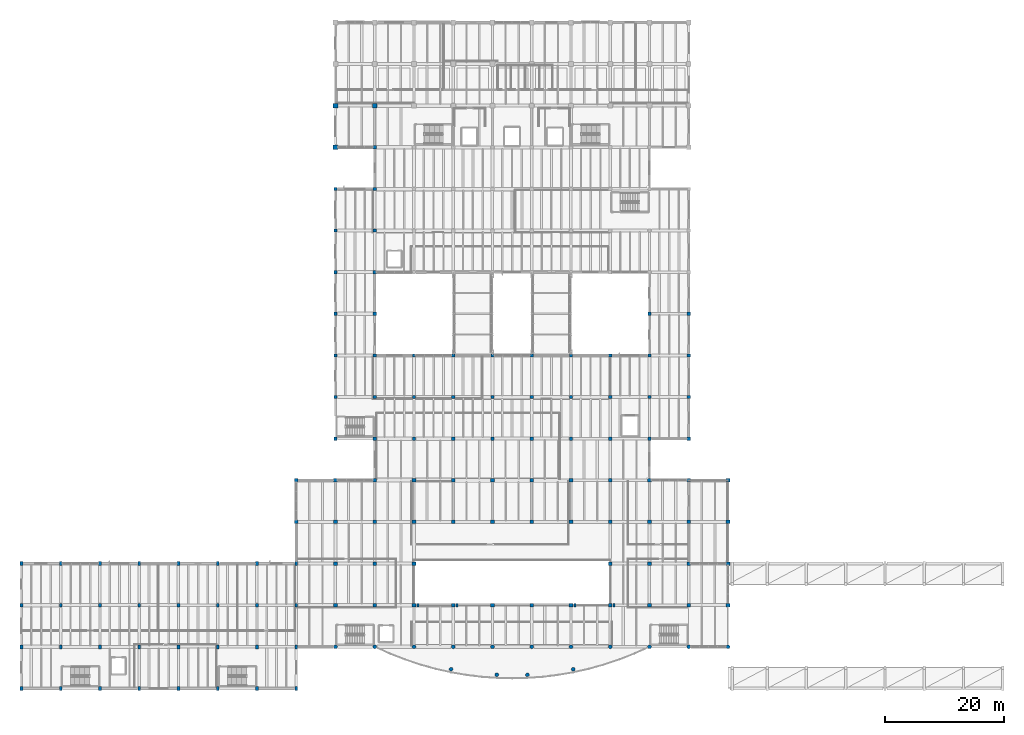
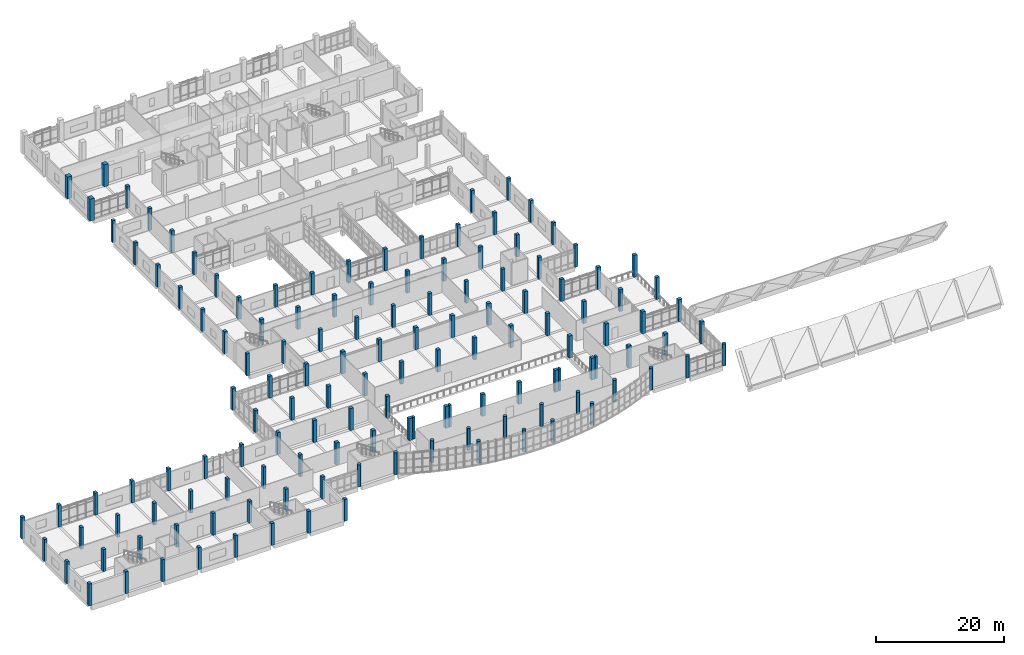
# One storey, part 1 of 67: 137 columns.
"""IFC4 building model written with IfcOpenShell, lengths in metres."""

from ifc_helpers import new_model, si_unit, direction, frame, origin, origin_2d, place, context, subcontext, project, spatial, rectangle, circle, extrude, material, material_profile, profile_set, type_object, element, save


model = new_model("IFC4")

# Units and contexts
model_context = context("Model", 3, precision=1e-05, world=origin(), true_north=direction((0.0, 1.0)))
body_context = subcontext(model_context, "Body", "Model", "MODEL_VIEW")
ifc_project = project(units=[si_unit("LENGTHUNIT", "METRE"), si_unit("AREAUNIT", "SQUARE_METRE"), si_unit("VOLUMEUNIT", "CUBIC_METRE"), si_unit("PLANEANGLEUNIT", "RADIAN"), si_unit("MASSUNIT", "GRAM", prefix="KILO")], contexts=[model_context])

# Site, building, storey
site_placement = place(None, origin())
site = spatial("IfcSite", under=ifc_project, at=site_placement, CompositionType="ELEMENT")
building_placement = place(site_placement, origin())
building = spatial("IfcBuilding", under=site, at=building_placement, Name="Ciguamira Faculty of Natural Sciences", CompositionType="ELEMENT")
storey_placement = place(building_placement, frame((0.0, 0.0, 8.39990234375)))
storey = spatial("IfcBuildingStorey", under=building, at=storey_placement, Name="L02", CompositionType="ELEMENT", Elevation=8.39990234375)

# Columns
ifc_material_1 = material(Name="Concrete C45/55", Category="concrete")
ifc_material_profile_1 = material_profile(ifc_material_1, rectangle(XDim=0.800048828125, YDim=0.800048828125, at=origin_2d()), Name="RC-COL-800X800")
ifc_profile_set_1 = profile_set([ifc_material_profile_1], Name="Concrete C45/55")
column_type_1 = type_object("IfcColumnType", Name="Col_C-03_RC-COL-800X800", PredefinedType="COLUMN", material=ifc_profile_set_1)
for number, where, z_axis, x_axis, name in (
    (1, (57.300048828125, 94.0, 0.0), (0.0, 0.0, 1.0), (1.0, 0.0, 0.0), "L02 column 9/P"),
    (2, (57.300048828125, 101.0, 0.0), (0.0, 0.0, 1.0), (1.0, 0.0, 0.0), "L02 column 9/Q"),
    (3, (63.89990234375, 101.0, 0.0), (0.0, 0.0, 1.0), (1.0, 0.0, 0.0), "L02 column 10/Q"),
):
    element("IfcColumn", number, at=place(storey_placement, frame(where, z_axis=z_axis, x_axis=x_axis)), inside=storey, type_object=column_type_1, Name=name, PredefinedType="COLUMN", context=body_context, shape_type="SweptSolid", body=[
        extrude(rectangle(XDim=0.800048828125, YDim=0.800048828125, at=origin_2d()), origin(), (0.0, 0.0, 1.0), 4.2001953125),
    ])
ifc_material_2 = material(Name="Concrete C40/50", Category="concrete")
ifc_material_profile_2 = material_profile(ifc_material_2, rectangle(XDim=0.60009765625, YDim=0.60009765625, at=origin_2d()), Name="RC-COL-600X600")
ifc_profile_set_2 = profile_set([ifc_material_profile_2], Name="Concrete C40/50")
column_type_2 = type_object("IfcColumnType", Name="Col_C-07_RC-COL-600X600", PredefinedType="COLUMN", material=ifc_profile_set_2)
for number, where, z_axis, x_axis, name in (
    (4, (50.699951171875, 31.0, 0.0), (0.0, 0.0, 1.0), (1.0, 0.0, 0.0), "L02 column 8/E"),
    (5, (50.699951171875, 38.0, 0.0), (0.0, 0.0, 1.0), (1.0, 0.0, 0.0), "L02 column 8/F"),
    (6, (57.300048828125, 17.0, 0.0), (0.0, 0.0, 1.0), (1.0, 0.0, 0.0), "L02 column 9/C"),
    (7, (57.300048828125, 24.0, 0.0), (0.0, 0.0, 1.0), (1.0, 0.0, 0.0), "L02 column 9/D"),
    (8, (57.300048828125, 31.0, 0.0), (0.0, 0.0, 1.0), (1.0, 0.0, 0.0), "L02 column 9/E"),
    (9, (57.300048828125, 38.0, 0.0), (0.0, 0.0, 1.0), (1.0, 0.0, 0.0), "L02 column 9/F"),
    (10, (63.89990234375, 17.0, 0.0), (0.0, 0.0, 1.0), (1.0, 0.0, 0.0), "L02 column 10/C"),
    (11, (63.89990234375, 24.0, 0.0), (0.0, 0.0, 1.0), (1.0, 0.0, 0.0), "L02 column 10/D"),
    (12, (63.89990234375, 31.0, 0.0), (0.0, 0.0, 1.0), (1.0, 0.0, 0.0), "L02 column 10/E"),
    (13, (63.89990234375, 38.0, 0.0), (0.0, 0.0, 1.0), (1.0, 0.0, 0.0), "L02 column 10/F"),
    (14, (70.5, 17.0, 0.0), (0.0, 0.0, 1.0), (1.0, 0.0, 0.0), "L02 column 11/C"),
    (15, (70.5, 24.0, 0.0), (0.0, 0.0, 1.0), (1.0, 0.0, 0.0), "L02 column 11/D"),
    (16, (70.5, 31.0, 0.0), (0.0, 0.0, 1.0), (1.0, 0.0, 0.0), "L02 column 11/E"),
    (17, (70.5, 38.0, 0.0), (0.0, 0.0, 1.0), (1.0, 0.0, 0.0), "L02 column 11/F"),
    (18, (77.10009765625, 17.0, 0.0), (0.0, 0.0, 1.0), (1.0, 0.0, 0.0), "L02 column 12/C"),
    (19, (77.10009765625, 31.0, 0.0), (0.0, 0.0, 1.0), (1.0, 0.0, 0.0), "L02 column 12/E"),
    (20, (77.10009765625, 38.0, 0.0), (0.0, 0.0, 1.0), (1.0, 0.0, 0.0), "L02 column 12/F"),
    (21, (83.699951171875, 17.0, 0.0), (0.0, 0.0, 1.0), (1.0, 0.0, 0.0), "L02 column 13/C"),
    (22, (83.699951171875, 31.0, 0.0), (0.0, 0.0, 1.0), (1.0, 0.0, 0.0), "L02 column 13/E"),
    (23, (83.699951171875, 38.0, 0.0), (0.0, 0.0, 1.0), (1.0, 0.0, 0.0), "L02 column 13/F"),
    (24, (90.300048828125, 17.0, 0.0), (0.0, 0.0, 1.0), (1.0, 0.0, 0.0), "L02 column 14/C"),
    (25, (90.300048828125, 31.0, 0.0), (0.0, 0.0, 1.0), (1.0, 0.0, 0.0), "L02 column 14/E"),
    (26, (90.300048828125, 38.0, 0.0), (0.0, 0.0, 1.0), (1.0, 0.0, 0.0), "L02 column 14/F"),
    (27, (96.89990234375, 17.0, 0.0), (0.0, 0.0, 1.0), (1.0, 0.0, 0.0), "L02 column 15/C"),
    (28, (96.89990234375, 31.0, 0.0), (0.0, 0.0, 1.0), (1.0, 0.0, 0.0), "L02 column 15/E"),
    (29, (96.89990234375, 38.0, 0.0), (0.0, 0.0, 1.0), (1.0, 0.0, 0.0), "L02 column 15/F"),
    (30, (103.5, 17.0, 0.0), (0.0, 0.0, 1.0), (1.0, 0.0, 0.0), "L02 column 16/C"),
    (31, (103.5, 24.0, 0.0), (0.0, 0.0, 1.0), (1.0, 0.0, 0.0), "L02 column 16/D"),
    (32, (103.5, 31.0, 0.0), (0.0, 0.0, 1.0), (1.0, 0.0, 0.0), "L02 column 16/E"),
    (33, (103.5, 38.0, 0.0), (0.0, 0.0, 1.0), (1.0, 0.0, 0.0), "L02 column 16/F"),
    (34, (110.10009765625, 17.0, 0.0), (0.0, 0.0, 1.0), (1.0, 0.0, 0.0), "L02 column 17/C"),
    (35, (110.10009765625, 24.0, 0.0), (0.0, 0.0, 1.0), (1.0, 0.0, 0.0), "L02 column 17/D"),
    (36, (110.10009765625, 31.0, 0.0), (0.0, 0.0, 1.0), (1.0, 0.0, 0.0), "L02 column 17/E"),
    (37, (110.10009765625, 38.0, 0.0), (0.0, 0.0, 1.0), (1.0, 0.0, 0.0), "L02 column 17/F"),
    (38, (116.699951171875, 17.0, 0.0), (0.0, 0.0, 1.0), (1.0, 0.0, 0.0), "L02 column 18/C"),
    (39, (116.699951171875, 24.0, 0.0), (0.0, 0.0, 1.0), (1.0, 0.0, 0.0), "L02 column 18/D"),
    (40, (116.699951171875, 31.0, 0.0), (0.0, 0.0, 1.0), (1.0, 0.0, 0.0), "L02 column 18/E"),
    (41, (116.699951171875, 38.0, 0.0), (0.0, 0.0, 1.0), (1.0, 0.0, 0.0), "L02 column 18/F"),
    (42, (123.300048828125, 17.0, 0.0), (0.0, 0.0, 1.0), (1.0, 0.0, 0.0), "L02 column 19/C"),
    (43, (123.300048828125, 24.0, 0.0), (0.0, 0.0, 1.0), (1.0, 0.0, 0.0), "L02 column 19/D"),
    (44, (123.300048828125, 31.0, 0.0), (0.0, 0.0, 1.0), (1.0, 0.0, 0.0), "L02 column 19/E"),
    (45, (123.300048828125, 38.0, 0.0), (0.0, 0.0, 1.0), (1.0, 0.0, 0.0), "L02 column 19/F"),
):
    element("IfcColumn", number, at=place(storey_placement, frame(where, z_axis=z_axis, x_axis=x_axis)), inside=storey, type_object=column_type_2, Name=name, PredefinedType="COLUMN", context=body_context, shape_type="SweptSolid", body=[
        extrude(rectangle(XDim=0.60009765625, YDim=0.60009765625, at=origin_2d()), origin(), (0.0, 0.0, 1.0), 4.2001953125),
    ])
ifc_material_profile_3 = material_profile(ifc_material_2, rectangle(XDim=0.550048828125, YDim=0.550048828125, at=origin_2d()), Name="RC-COL-550X550")
ifc_profile_set_3 = profile_set([ifc_material_profile_3], Name="Concrete C40/50")
column_type_3 = type_object("IfcColumnType", Name="Col_C-08_RC-COL-550X550", PredefinedType="COLUMN", material=ifc_profile_set_3)
for number, where, z_axis, x_axis, name in (
    (46, (57.300048828125, 45.0, 0.0), (0.0, 0.0, 1.0), (1.0, 0.0, 0.0), "L02 column 9/G"),
    (47, (57.300048828125, 52.0, 0.0), (0.0, 0.0, 1.0), (1.0, 0.0, 0.0), "L02 column 9/H"),
    (48, (57.300048828125, 59.0, 0.0), (0.0, 0.0, 1.0), (1.0, 0.0, 0.0), "L02 column 9/J"),
    (49, (57.300048828125, 66.0, 0.0), (0.0, 0.0, 1.0), (1.0, 0.0, 0.0), "L02 column 9/K"),
    (50, (57.300048828125, 73.0, 0.0), (0.0, 0.0, 1.0), (1.0, 0.0, 0.0), "L02 column 9/L"),
    (51, (57.300048828125, 80.0, 0.0), (0.0, 0.0, 1.0), (1.0, 0.0, 0.0), "L02 column 9/M"),
    (52, (57.300048828125, 87.0, 0.0), (0.0, 0.0, 1.0), (1.0, 0.0, 0.0), "L02 column 9/N"),
    (53, (63.89990234375, 45.0, 0.0), (0.0, 0.0, 1.0), (1.0, 0.0, 0.0), "L02 column 10/G"),
    (54, (63.89990234375, 52.0, 0.0), (0.0, 0.0, 1.0), (1.0, 0.0, 0.0), "L02 column 10/H"),
    (55, (63.89990234375, 59.0, 0.0), (0.0, 0.0, 1.0), (1.0, 0.0, 0.0), "L02 column 10/J"),
    (56, (63.89990234375, 66.0, 0.0), (0.0, 0.0, 1.0), (1.0, 0.0, 0.0), "L02 column 10/K"),
    (57, (63.89990234375, 73.0, 0.0), (0.0, 0.0, 1.0), (1.0, 0.0, 0.0), "L02 column 10/L"),
    (58, (63.89990234375, 80.0, 0.0), (0.0, 0.0, 1.0), (1.0, 0.0, 0.0), "L02 column 10/M"),
    (59, (63.89990234375, 87.0, 0.0), (0.0, 0.0, 1.0), (1.0, 0.0, 0.0), "L02 column 10/N"),
    (60, (63.89990234375, 94.0, 0.0), (0.0, 0.0, 1.0), (1.0, 0.0, 0.0), "L02 column 10/P"),
    (61, (70.5, 45.0, 0.0), (0.0, 0.0, 1.0), (1.0, 0.0, 0.0), "L02 column 11/G"),
    (62, (70.5, 52.0, 0.0), (0.0, 0.0, 1.0), (1.0, 0.0, 0.0), "L02 column 11/H"),
    (63, (70.5, 59.0, 0.0), (0.0, 0.0, 1.0), (1.0, 0.0, 0.0), "L02 column 11/J"),
    (64, (77.10009765625, 45.0, 0.0), (0.0, 0.0, 1.0), (1.0, 0.0, 0.0), "L02 column 12/G"),
    (65, (77.10009765625, 52.0, 0.0), (0.0, 0.0, 1.0), (1.0, 0.0, 0.0), "L02 column 12/H"),
    (66, (77.10009765625, 59.0, 0.0), (0.0, 0.0, 1.0), (1.0, 0.0, 0.0), "L02 column 12/J"),
    (67, (83.699951171875, 45.0, 0.0), (0.0, 0.0, 1.0), (1.0, 0.0, 0.0), "L02 column 13/G"),
    (68, (83.699951171875, 52.0, 0.0), (0.0, 0.0, 1.0), (1.0, 0.0, 0.0), "L02 column 13/H"),
    (69, (83.699951171875, 59.0, 0.0), (0.0, 0.0, 1.0), (1.0, 0.0, 0.0), "L02 column 13/J"),
    (70, (90.300048828125, 45.0, 0.0), (0.0, 0.0, 1.0), (1.0, 0.0, 0.0), "L02 column 14/G"),
    (71, (90.300048828125, 52.0, 0.0), (0.0, 0.0, 1.0), (1.0, 0.0, 0.0), "L02 column 14/H"),
    (72, (90.300048828125, 59.0, 0.0), (0.0, 0.0, 1.0), (1.0, 0.0, 0.0), "L02 column 14/J"),
    (73, (96.89990234375, 45.0, 0.0), (0.0, 0.0, 1.0), (1.0, 0.0, 0.0), "L02 column 15/G"),
    (74, (96.89990234375, 52.0, 0.0), (0.0, 0.0, 1.0), (1.0, 0.0, 0.0), "L02 column 15/H"),
    (75, (96.89990234375, 59.0, 0.0), (0.0, 0.0, 1.0), (1.0, 0.0, 0.0), "L02 column 15/J"),
    (76, (103.5, 45.0, 0.0), (0.0, 0.0, 1.0), (1.0, 0.0, 0.0), "L02 column 16/G"),
    (77, (103.5, 52.0, 0.0), (0.0, 0.0, 1.0), (1.0, 0.0, 0.0), "L02 column 16/H"),
    (78, (103.5, 59.0, 0.0), (0.0, 0.0, 1.0), (1.0, 0.0, 0.0), "L02 column 16/J"),
    (79, (110.10009765625, 45.0, 0.0), (0.0, 0.0, 1.0), (1.0, 0.0, 0.0), "L02 column 17/G"),
    (80, (110.10009765625, 52.0, 0.0), (0.0, 0.0, 1.0), (1.0, 0.0, 0.0), "L02 column 17/H"),
    (81, (110.10009765625, 59.0, 0.0), (0.0, 0.0, 1.0), (1.0, 0.0, 0.0), "L02 column 17/J"),
    (82, (110.10009765625, 66.0, 0.0), (0.0, 0.0, 1.0), (1.0, 0.0, 0.0), "L02 column 17/K"),
    (83, (116.699951171875, 45.0, 0.0), (0.0, 0.0, 1.0), (1.0, 0.0, 0.0), "L02 column 18/G"),
    (84, (116.699951171875, 52.0, 0.0), (0.0, 0.0, 1.0), (1.0, 0.0, 0.0), "L02 column 18/H"),
    (85, (116.699951171875, 59.0, 0.0), (0.0, 0.0, 1.0), (1.0, 0.0, 0.0), "L02 column 18/J"),
    (86, (116.699951171875, 66.0, 0.0), (0.0, 0.0, 1.0), (1.0, 0.0, 0.0), "L02 column 18/K"),
):
    element("IfcColumn", number, at=place(storey_placement, frame(where, z_axis=z_axis, x_axis=x_axis)), inside=storey, type_object=column_type_3, Name=name, PredefinedType="COLUMN", context=body_context, shape_type="SweptSolid", body=[
        extrude(rectangle(XDim=0.550048828125, YDim=0.550048828125, at=origin_2d()), origin(), (0.0, 0.0, 1.0), 4.2001953125),
    ])
ifc_material_profile_4 = material_profile(ifc_material_2, rectangle(XDim=0.5, YDim=0.64990234375, at=origin_2d()), Name="RC-COL-500X650")
ifc_profile_set_4 = profile_set([ifc_material_profile_4], Name="Concrete C40/50")
column_type_4 = type_object("IfcColumnType", Name="Col_C-15_RC-COL-500X650", PredefinedType="COLUMN", material=ifc_profile_set_4)
for number, where, z_axis, x_axis, name in (
    (87, (4.5, 3.0, 0.0), (0.0, 0.0, 1.0), (1.0, 0.0, 0.0), "L02 column 1/A"),
    (88, (4.5, 10.0, 0.0), (0.0, 0.0, 1.0), (1.0, 0.0, 0.0), "L02 column 1/B"),
    (89, (4.5, 17.0, 0.0), (0.0, 0.0, 1.0), (1.0, 0.0, 0.0), "L02 column 1/C"),
    (90, (4.5, 24.0, 0.0), (0.0, 0.0, 1.0), (1.0, 0.0, 0.0), "L02 column 1/D"),
    (91, (11.10009765625, 3.0, 0.0), (0.0, 0.0, 1.0), (1.0, 0.0, 0.0), "L02 column 2/A"),
    (92, (11.10009765625, 10.0, 0.0), (0.0, 0.0, 1.0), (1.0, 0.0, 0.0), "L02 column 2/B"),
    (93, (11.10009765625, 17.0, 0.0), (0.0, 0.0, 1.0), (1.0, 0.0, 0.0), "L02 column 2/C"),
    (94, (11.10009765625, 24.0, 0.0), (0.0, 0.0, 1.0), (1.0, 0.0, 0.0), "L02 column 2/D"),
    (95, (17.699951171875, 3.0, 0.0), (0.0, 0.0, 1.0), (1.0, 0.0, 0.0), "L02 column 3/A"),
    (96, (17.699951171875, 10.0, 0.0), (0.0, 0.0, 1.0), (1.0, 0.0, 0.0), "L02 column 3/B"),
    (97, (17.699951171875, 17.0, 0.0), (0.0, 0.0, 1.0), (1.0, 0.0, 0.0), "L02 column 3/C"),
    (98, (17.699951171875, 24.0, 0.0), (0.0, 0.0, 1.0), (1.0, 0.0, 0.0), "L02 column 3/D"),
    (99, (24.300048828125, 3.0, 0.0), (0.0, 0.0, 1.0), (1.0, 0.0, 0.0), "L02 column 4/A"),
    (100, (24.300048828125, 10.0, 0.0), (0.0, 0.0, 1.0), (1.0, 0.0, 0.0), "L02 column 4/B"),
    (101, (24.300048828125, 17.0, 0.0), (0.0, 0.0, 1.0), (1.0, 0.0, 0.0), "L02 column 4/C"),
    (102, (24.300048828125, 24.0, 0.0), (0.0, 0.0, 1.0), (1.0, 0.0, 0.0), "L02 column 4/D"),
    (103, (30.89990234375, 3.0, 0.0), (0.0, 0.0, 1.0), (1.0, 0.0, 0.0), "L02 column 5/A"),
    (104, (30.89990234375, 10.0, 0.0), (0.0, 0.0, 1.0), (1.0, 0.0, 0.0), "L02 column 5/B"),
    (105, (30.89990234375, 17.0, 0.0), (0.0, 0.0, 1.0), (1.0, 0.0, 0.0), "L02 column 5/C"),
    (106, (30.89990234375, 24.0, 0.0), (0.0, 0.0, 1.0), (1.0, 0.0, 0.0), "L02 column 5/D"),
    (107, (37.5, 3.0, 0.0), (0.0, 0.0, 1.0), (1.0, 0.0, 0.0), "L02 column 6/A"),
    (108, (37.5, 10.0, 0.0), (0.0, 0.0, 1.0), (1.0, 0.0, 0.0), "L02 column 6/B"),
    (109, (37.5, 17.0, 0.0), (0.0, 0.0, 1.0), (1.0, 0.0, 0.0), "L02 column 6/C"),
    (110, (37.5, 24.0, 0.0), (0.0, 0.0, 1.0), (1.0, 0.0, 0.0), "L02 column 6/D"),
    (111, (44.10009765625, 3.0, 0.0), (0.0, 0.0, 1.0), (1.0, 0.0, 0.0), "L02 column 7/A"),
    (112, (44.10009765625, 10.0, 0.0), (0.0, 0.0, 1.0), (1.0, 0.0, 0.0), "L02 column 7/B"),
    (113, (44.10009765625, 17.0, 0.0), (0.0, 0.0, 1.0), (1.0, 0.0, 0.0), "L02 column 7/C"),
    (114, (44.10009765625, 24.0, 0.0), (0.0, 0.0, 1.0), (1.0, 0.0, 0.0), "L02 column 7/D"),
    (115, (50.699951171875, 3.0, 0.0), (0.0, 0.0, 1.0), (1.0, 0.0, 0.0), "L02 column 8/A"),
    (116, (50.699951171875, 10.0, 0.0), (0.0, 0.0, 1.0), (1.0, 0.0, 0.0), "L02 column 8/B"),
    (117, (50.699951171875, 17.0, 0.0), (0.0, 0.0, 1.0), (1.0, 0.0, 0.0), "L02 column 8/C"),
    (118, (50.699951171875, 24.0, 0.0), (0.0, 0.0, 1.0), (1.0, 0.0, 0.0), "L02 column 8/D"),
):
    element("IfcColumn", number, at=place(storey_placement, frame(where, z_axis=z_axis, x_axis=x_axis)), inside=storey, type_object=column_type_4, Name=name, PredefinedType="COLUMN", context=body_context, shape_type="SweptSolid", body=[
        extrude(rectangle(XDim=0.5, YDim=0.64990234375, at=origin_2d()), origin(), (0.0, 0.0, 1.0), 4.2001953125),
    ])
ifc_material_profile_5 = material_profile(ifc_material_2, circle(Radius=0.324951171875, at=origin_2d()), Name="RC-RND-650")
ifc_profile_set_5 = profile_set([ifc_material_profile_5], Name="Concrete C40/50")
column_type_5 = type_object("IfcColumnType", Name="Col_C-18_RC-RND-650", PredefinedType="COLUMN", material=ifc_profile_set_5)
for number, where, z_axis, x_axis, name in (
    (119, (57.300048828125, 10.0, 0.0), (0.0, 0.0, 1.0), (1.0, 0.0, 0.0), "L02 column 9/B"),
    (120, (63.89990234375, 10.0, 0.0), (0.0, 0.0, 1.0), (1.0, 0.0, 0.0), "L02 column 10/B"),
    (121, (70.5, 10.0, 0.0), (0.0, 0.0, 1.0), (1.0, 0.0, 0.0), "L02 column 11/B"),
    (122, (77.10009765625, 10.0, 0.0), (0.0, 0.0, 1.0), (1.0, 0.0, 0.0), "L02 column 12/B"),
    (123, (83.699951171875, 10.0, 0.0), (0.0, 0.0, 1.0), (1.0, 0.0, 0.0), "L02 column 13/B"),
    (124, (90.300048828125, 10.0, 0.0), (0.0, 0.0, 1.0), (1.0, 0.0, 0.0), "L02 column 14/B"),
    (125, (96.89990234375, 10.0, 0.0), (0.0, 0.0, 1.0), (1.0, 0.0, 0.0), "L02 column 15/B"),
    (126, (103.5, 10.0, 0.0), (0.0, 0.0, 1.0), (1.0, 0.0, 0.0), "L02 column 16/B"),
    (127, (110.10009765625, 10.0, 0.0), (0.0, 0.0, 1.0), (1.0, 0.0, 0.0), "L02 column 17/B"),
    (128, (116.699951171875, 10.0, 0.0), (0.0, 0.0, 1.0), (1.0, 0.0, 0.0), "L02 column 18/B"),
    (129, (123.300048828125, 10.0, 0.0), (0.0, 0.0, 1.0), (1.0, 0.0, 0.0), "L02 column 19/B"),
    (130, (76.7333984375, 6.236572265625, 0.0), (0.0, 0.0, 1.0), (1.0, 0.0, 0.0), "L02 south arc colonnade column 1"),
    (131, (84.433349609375, 5.291259765625, 0.0), (0.0, 0.0, 1.0), (1.0, 0.0, 0.0), "L02 south arc colonnade column 2"),
    (132, (89.566650390625, 5.291259765625, 0.0), (0.0, 0.0, 1.0), (1.0, 0.0, 0.0), "L02 south arc colonnade column 3"),
    (133, (97.2666015625, 6.236572265625, 0.0), (0.0, 0.0, 1.0), (1.0, 0.0, 0.0), "L02 south arc colonnade column 4"),
):
    element("IfcColumn", number, at=place(storey_placement, frame(where, z_axis=z_axis, x_axis=x_axis)), inside=storey, type_object=column_type_5, Name=name, PredefinedType="COLUMN", context=body_context, shape_type="SweptSolid", body=[
        extrude(circle(Radius=0.324951171875, at=origin_2d()), origin(), (0.0, 0.0, 1.0), 4.2001953125),
    ])
ifc_material_profile_6 = material_profile(ifc_material_2, rectangle(XDim=0.35009765625, YDim=0.550048828125, at=origin_2d()), Name="RC-PIL-350X550")
ifc_profile_set_6 = profile_set([ifc_material_profile_6], Name="Concrete C40/50")
column_type_6 = type_object("IfcColumnType", Name="Pilaster_PL-02_RC-PIL-350X550", PredefinedType="PILASTER", material=ifc_profile_set_6)
for number, where, z_axis, x_axis, name in (
    (134, (71.14990234375, 17.0, 0.0), (0.0, 0.0, 1.0), (1.0, 0.0, 0.0), "L02 atrium colonnade pilaster A11"),
    (135, (77.75, 17.0, 0.0), (0.0, 0.0, 1.0), (1.0, 0.0, 0.0), "L02 atrium colonnade pilaster A12"),
    (136, (97.550048828125, 17.0, 0.0), (0.0, 0.0, 1.0), (1.0, 0.0, 0.0), "L02 atrium colonnade pilaster A15"),
    (137, (104.14990234375, 17.0, 0.0), (0.0, 0.0, 1.0), (1.0, 0.0, 0.0), "L02 atrium colonnade pilaster A16"),
):
    element("IfcColumn", number, at=place(storey_placement, frame(where, z_axis=z_axis, x_axis=x_axis)), inside=storey, type_object=column_type_6, Name=name, PredefinedType="PILASTER", context=body_context, shape_type="SweptSolid", body=[
        extrude(rectangle(XDim=0.35009765625, YDim=0.550048828125, at=origin_2d()), origin(), (0.0, 0.0, 1.0), 4.2001953125),
    ])

save(model, "model.ifc")
